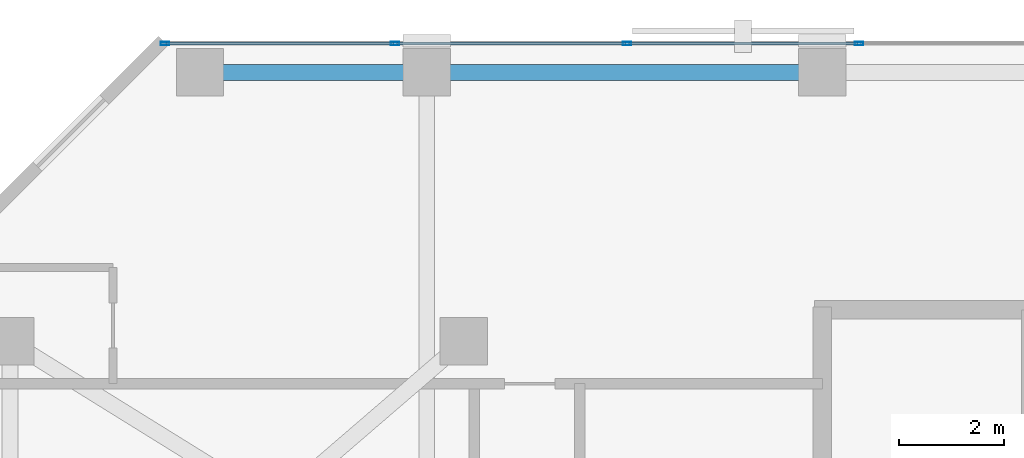
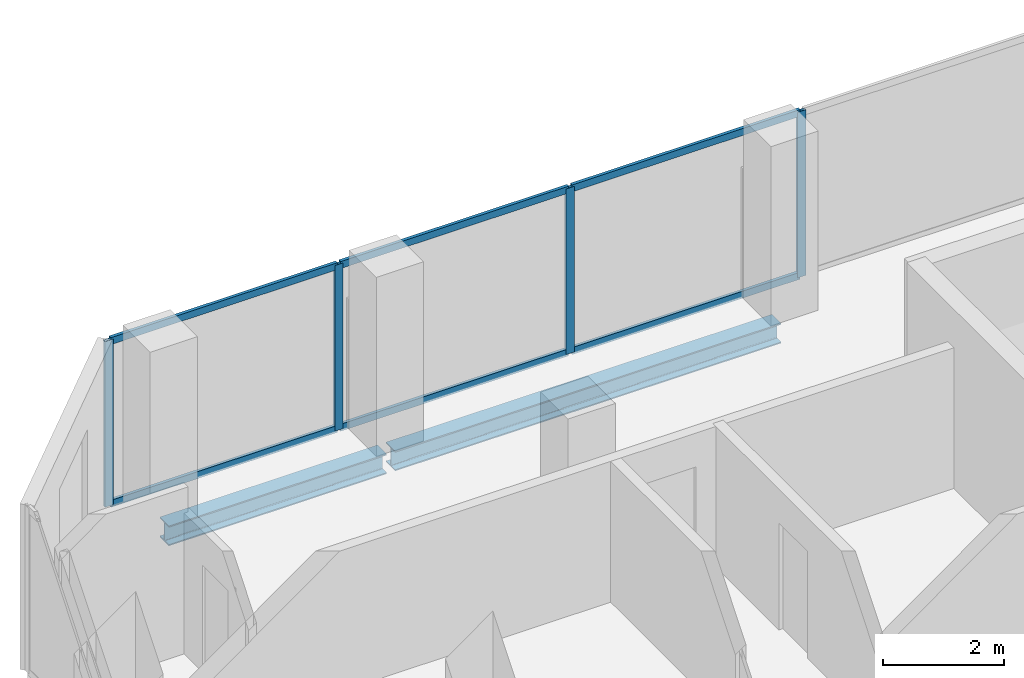
# One storey, part 19 of 35: 10 members, 2 beams, 1 element without a shape of its own.
"""IFC4 building model written with IfcOpenShell, lengths in metres."""

from ifc_helpers import new_model, si_unit, direction, frame, origin, origin_2d, place, context, subcontext, project, spatial, hollow_rectangle, i_section, extrude, material, layer, layer_set, material_profile, profile_set, type_object, element, aggregate, save


model = new_model("IFC4")

# Units and contexts
model_context = context("Model", 3, precision=1e-05, world=origin(), true_north=direction((0.0, 1.0)))
body_context = subcontext(model_context, "Body", "Model", "MODEL_VIEW")
ifc_project = project(units=[si_unit("LENGTHUNIT", "METRE"), si_unit("AREAUNIT", "SQUARE_METRE"), si_unit("VOLUMEUNIT", "CUBIC_METRE"), si_unit("PLANEANGLEUNIT", "RADIAN"), si_unit("MASSUNIT", "GRAM", prefix="KILO")], contexts=[model_context])

# Site, building, storey
site_placement = place(None, origin())
site = spatial("IfcSite", under=ifc_project, at=site_placement, CompositionType="ELEMENT")
building_placement = place(site_placement, origin())
building = spatial("IfcBuilding", under=site, at=building_placement, Name="Catumbela Crestline Tower", CompositionType="ELEMENT")
storey_placement = place(building_placement, frame((0.0, 0.0, 90.0)))
storey = spatial("IfcBuildingStorey", under=building, at=storey_placement, Name="L22", CompositionType="ELEMENT", Elevation=90.0)

# Curtain wall, members
ifc_material_1 = material(Name="Aluminium alloy AW-6060-T66", Category="aluminium")
ifc_layer = layer(ifc_material_1, 0.18, Name="Aluminium alloy AW-6060-T66")
ifc_layer_set = layer_set([ifc_layer], Name="Aluminium alloy AW-6060-T66")
curtain_wall_type = type_object("IfcCurtainWallType", Name="CWU-Z2", PredefinedType="USERDEFINED", material=ifc_layer_set)
curtain_wall_placement = place(storey_placement, origin())
curtain_wall = element("IfcCurtainWall", 1, at=curtain_wall_placement, inside=storey, type_object=curtain_wall_type, Name="L22 Unitised Curtain Wall CW-L22-E7S1", ObjectType="UNITISED", PredefinedType="USERDEFINED")
ifc_material_profile_1 = material_profile(ifc_material_1, hollow_rectangle(XDim=0.06, YDim=0.16, WallThickness=0.004, at=origin_2d()), Name="ALU 160x60x4")
ifc_profile_set_1 = profile_set([ifc_material_profile_1], Name="Aluminium alloy AW-6060-T66")
member_type_1 = type_object("IfcMemberType", Name="MUL-160X60", PredefinedType="MULLION", material=ifc_profile_set_1)
member_1_placement = place(storey_placement, frame((16.7, 47.95, 0.0), z_axis=(0.0, 0.0, 1.0), x_axis=(0.0, -1.0, 0.0)))
member_1 = element("IfcMember", 2, at=member_1_placement, type_object=member_type_1, Name="CWU-Z2 mullion 8", PredefinedType="MULLION", context=body_context, shape_type="SweptSolid", body=[
    extrude(hollow_rectangle(XDim=0.06, YDim=0.16, WallThickness=0.004, at=origin_2d()), origin(), (0.0, 0.0, 1.0), 3.33),
])
member_2_placement = place(storey_placement, frame((12.3, 47.95, 0.0), z_axis=(0.0, 0.0, 1.0), x_axis=(0.0, -1.0, 0.0)))
member_2 = element("IfcMember", 3, at=member_2_placement, type_object=member_type_1, Name="CWU-Z2 mullion 9", PredefinedType="MULLION", context=body_context, shape_type="SweptSolid", body=[
    extrude(hollow_rectangle(XDim=0.06, YDim=0.16, WallThickness=0.004, at=origin_2d()), origin(), (0.0, 0.0, 1.0), 3.33),
])
member_3_placement = place(storey_placement, frame((7.9, 47.95, 0.0), z_axis=(0.0, 0.0, 1.0), x_axis=(0.0, -1.0, 0.0)))
member_3 = element("IfcMember", 4, at=member_3_placement, type_object=member_type_1, Name="CWU-Z2 mullion 10", PredefinedType="MULLION", context=body_context, shape_type="SweptSolid", body=[
    extrude(hollow_rectangle(XDim=0.06, YDim=0.16, WallThickness=0.004, at=origin_2d()), origin(), (0.0, 0.0, 1.0), 3.33),
])
member_4_placement = place(storey_placement, frame((3.5325, 47.95, 0.0), z_axis=(0.0, 0.0, 1.0), x_axis=(0.0, -1.0, 0.0)))
member_4 = element("IfcMember", 5, at=member_4_placement, type_object=member_type_1, Name="CWU-Z2 mullion 11", PredefinedType="MULLION", context=body_context, shape_type="SweptSolid", body=[
    extrude(hollow_rectangle(XDim=0.06, YDim=0.16, WallThickness=0.004, at=origin_2d()), origin(), (0.0, 0.0, 1.0), 3.33),
])

# Beams
ifc_material_2 = material(Name="Structural steel S355J2", Category="steel")
ifc_material_profile_2 = material_profile(ifc_material_2, i_section(OverallWidth=0.3, OverallDepth=0.4, WebThickness=0.0135, FlangeThickness=0.024, FilletRadius=0.027, at=origin_2d()), Name="HEB 400")
ifc_profile_set_2 = profile_set([ifc_material_profile_2], Name="Structural steel S355J2")
beam_type = type_object("IfcBeamType", Name="BS-HEB400", PredefinedType="SPANDREL", material=ifc_profile_set_2)
beam_1_placement = place(storey_placement, frame((4.28, 47.4, -0.46), z_axis=(1.0, 0.0, 0.0), x_axis=(0.0, 1.0, 0.0)))
element("IfcBeam", 6, at=beam_1_placement, inside=storey, type_object=beam_type, Name="L22 Spandrel SP-L22-NF17", PredefinedType="SPANDREL", context=body_context, shape_type="SweptSolid", body=[
    extrude(i_section(OverallWidth=0.3, OverallDepth=0.4, WebThickness=0.0135, FlangeThickness=0.024, FilletRadius=0.027, at=origin_2d()), origin(), (0.0, 0.0, 1.0), 4.14),
])
beam_2_placement = place(storey_placement, frame((8.58, 47.4, -0.46), z_axis=(1.0, 0.0, 0.0), x_axis=(0.0, 1.0, 0.0)))
element("IfcBeam", 7, at=beam_2_placement, inside=storey, type_object=beam_type, Name="L22 Spandrel SP-L22-NF18", PredefinedType="SPANDREL", context=body_context, shape_type="SweptSolid", body=[
    extrude(i_section(OverallWidth=0.3, OverallDepth=0.4, WebThickness=0.0135, FlangeThickness=0.024, FilletRadius=0.027, at=origin_2d()), origin(), (0.0, 0.0, 1.0), 7.34),
])

# Member
ifc_material_profile_3 = material_profile(ifc_material_1, hollow_rectangle(XDim=0.06, YDim=0.14, WallThickness=0.004, at=origin_2d()), Name="ALU 140x60x4")
ifc_profile_set_3 = profile_set([ifc_material_profile_3], Name="Aluminium alloy AW-6060-T66")
member_type_2 = type_object("IfcMemberType", Name="TRN-140X60", PredefinedType="USERDEFINED", material=ifc_profile_set_3)
member_5_placement = place(storey_placement, frame((16.6675, 47.95, 0.03), z_axis=(-1.0, 0.0, 0.0), x_axis=(0.0, -1.0, 0.0)))
member_5 = element("IfcMember", 8, at=member_5_placement, type_object=member_type_2, Name="CWU-Z2 transom 8.1", ObjectType="TRANSOM", PredefinedType="USERDEFINED", context=body_context, shape_type="SweptSolid", body=[
    extrude(hollow_rectangle(XDim=0.06, YDim=0.14, WallThickness=0.004, at=origin_2d()), origin(), (0.0, 0.0, 1.0), 4.335),
])

member_6_placement = place(storey_placement, frame((16.6675, 47.95, 3.3), z_axis=(-1.0, 0.0, 0.0), x_axis=(0.0, -1.0, 0.0)))
member_6 = element("IfcMember", 9, at=member_6_placement, type_object=member_type_2, Name="CWU-Z2 transom 8.2", ObjectType="TRANSOM", PredefinedType="USERDEFINED", context=body_context, shape_type="SweptSolid", body=[
    extrude(hollow_rectangle(XDim=0.06, YDim=0.14, WallThickness=0.004, at=origin_2d()), origin(), (0.0, 0.0, 1.0), 4.335),
])

member_7_placement = place(storey_placement, frame((12.2675, 47.95, 0.03), z_axis=(-1.0, 0.0, 0.0), x_axis=(0.0, -1.0, 0.0)))
member_7 = element("IfcMember", 10, at=member_7_placement, type_object=member_type_2, Name="CWU-Z2 transom 9.1", ObjectType="TRANSOM", PredefinedType="USERDEFINED", context=body_context, shape_type="SweptSolid", body=[
    extrude(hollow_rectangle(XDim=0.06, YDim=0.14, WallThickness=0.004, at=origin_2d()), origin(), (0.0, 0.0, 1.0), 4.335),
])

member_8_placement = place(storey_placement, frame((12.2675, 47.95, 3.3), z_axis=(-1.0, 0.0, 0.0), x_axis=(0.0, -1.0, 0.0)))
member_8 = element("IfcMember", 11, at=member_8_placement, type_object=member_type_2, Name="CWU-Z2 transom 9.2", ObjectType="TRANSOM", PredefinedType="USERDEFINED", context=body_context, shape_type="SweptSolid", body=[
    extrude(hollow_rectangle(XDim=0.06, YDim=0.14, WallThickness=0.004, at=origin_2d()), origin(), (0.0, 0.0, 1.0), 4.335),
])

member_9_placement = place(storey_placement, frame((7.8675, 47.95, 0.03), z_axis=(-1.0, 0.0, 0.0), x_axis=(0.0, -1.0, 0.0)))
member_9 = element("IfcMember", 12, at=member_9_placement, type_object=member_type_2, Name="CWU-Z2 transom 10.1", ObjectType="TRANSOM", PredefinedType="USERDEFINED", context=body_context, shape_type="SweptSolid", body=[
    extrude(hollow_rectangle(XDim=0.06, YDim=0.14, WallThickness=0.004, at=origin_2d()), origin(), (0.0, 0.0, 1.0), 4.3025),
])

member_10_placement = place(storey_placement, frame((7.8675, 47.95, 3.3), z_axis=(-1.0, 0.0, 0.0), x_axis=(0.0, -1.0, 0.0)))
member_10 = element("IfcMember", 13, at=member_10_placement, type_object=member_type_2, Name="CWU-Z2 transom 10.2", ObjectType="TRANSOM", PredefinedType="USERDEFINED", context=body_context, shape_type="SweptSolid", body=[
    extrude(hollow_rectangle(XDim=0.06, YDim=0.14, WallThickness=0.004, at=origin_2d()), origin(), (0.0, 0.0, 1.0), 4.3025),
])

aggregate(curtain_wall, [member_1, member_2, member_3, member_4, member_5, member_6, member_7, member_8, member_9, member_10])

save(model, "model.ifc")
